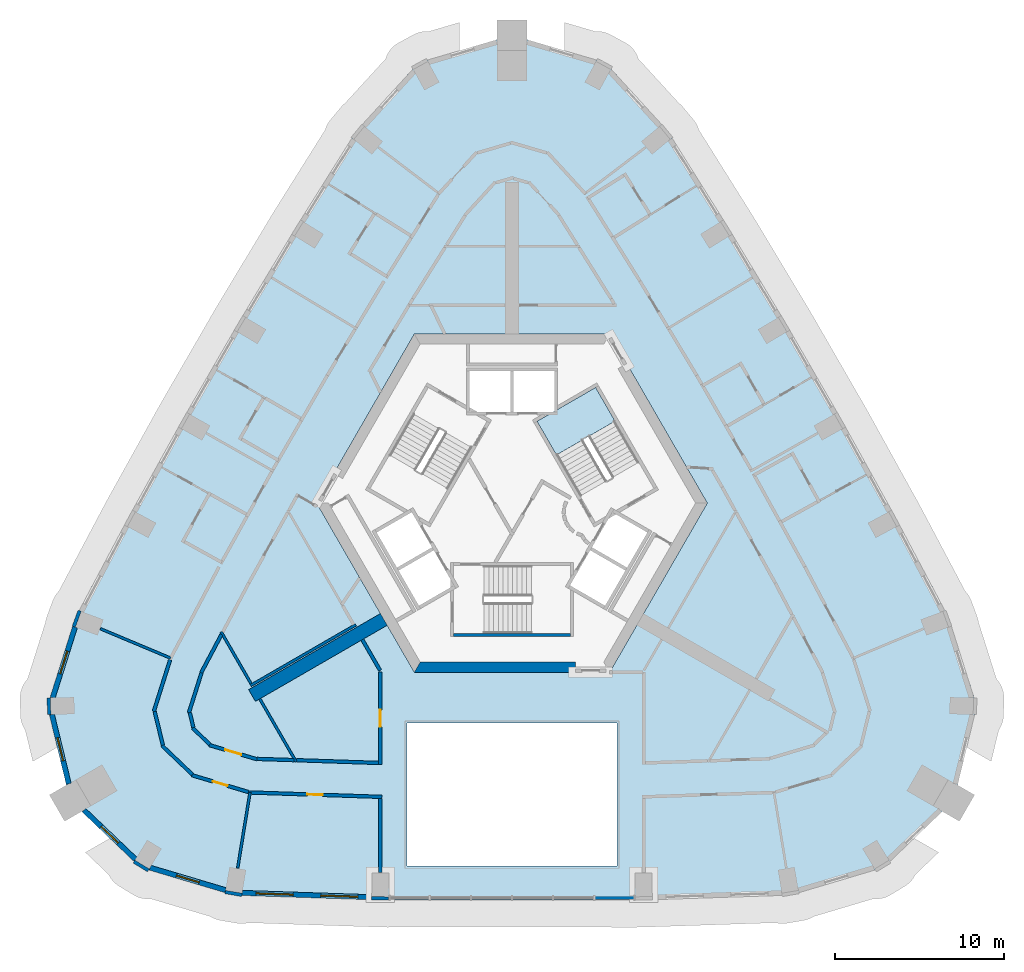
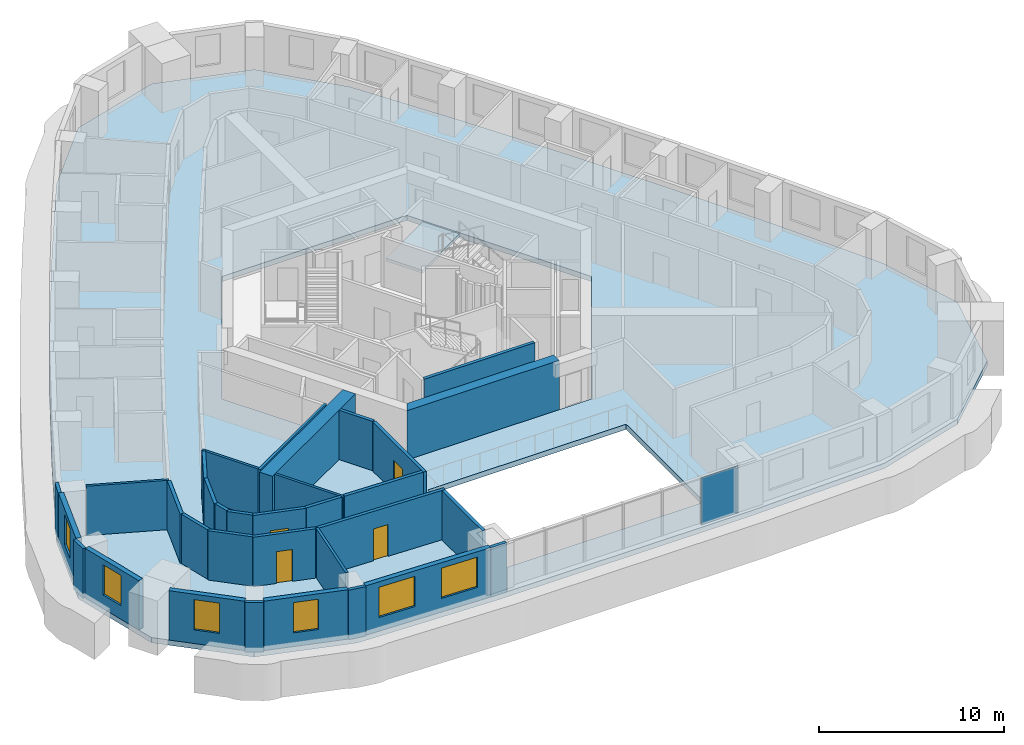
# One storey, part 3 of 13: 33 walls, 6 windows, 4 doors, 2 slabs, 1 plate, 10 openings, 2 elements without a shape of their own.
"""IFC4 building model written with IfcOpenShell, lengths in metres."""

from ifc_helpers import new_model, si_unit, direction, frame, frame_2d, origin, origin_2d, place, context, subcontext, project, spatial, polyline, rectangle, outline, extrude, material, layer, layer_set, type_object, element, fill, aggregate, save


model = new_model("IFC4")

# Units and contexts
model_context = context("Model", 3, precision=1e-05, world=origin(), true_north=direction((0.0, 1.0)))
body_context = subcontext(model_context, "Body", "Model", "MODEL_VIEW")
ifc_project = project(units=[si_unit("LENGTHUNIT", "METRE"), si_unit("AREAUNIT", "SQUARE_METRE"), si_unit("VOLUMEUNIT", "CUBIC_METRE"), si_unit("PLANEANGLEUNIT", "RADIAN"), si_unit("MASSUNIT", "GRAM", prefix="KILO")], contexts=[model_context])

# Site, building, storey
site_placement = place(None, origin())
site = spatial("IfcSite", under=ifc_project, at=site_placement, CompositionType="ELEMENT")
building_placement = place(site_placement, origin())
building = spatial("IfcBuilding", under=site, at=building_placement, Name="Entoto Arch Interchange Tower", CompositionType="ELEMENT")
storey_placement = place(building_placement, frame((0.0, 0.0, 266.60009765625)))
storey = spatial("IfcBuildingStorey", under=building, at=storey_placement, Name="L61", CompositionType="ELEMENT", Elevation=266.60009765625)

# Stair, slab
ifc_material_1 = material(Name="Concrete C40/50", Category="concrete")
stair_type = type_object("IfcStairType", Name="EXIT STAIR RC 1800", PredefinedType="HALF_TURN_STAIR", material=ifc_material_1)
stair_placement = place(storey_placement, origin())
stair = element("IfcStair", 1, at=stair_placement, inside=storey, type_object=stair_type, Name="L61 Exit stair NE", PredefinedType="HALF_TURN_STAIR")
ifc_layer_1 = layer(ifc_material_1, 0.199951171875)
ifc_layer_set_1 = layer_set([ifc_layer_1], Name="Concrete C40/50")
slab_type_1 = type_object("IfcSlabType", Name="EXIT STAIR LANDING RC 200", PredefinedType="LANDING", material=ifc_layer_set_1)
slab_1_placement = place(storey_placement, frame((0.0, 0.0, 1.599853515625)))
slab_1 = element("IfcSlab", 2, at=slab_1_placement, type_object=slab_type_1, Name="ST-NE landing 1", PredefinedType="LANDING", context=body_context, shape_type="SweptSolid", body=[
    extrude(outline(polyline([(6.093505859375, 7.345947265625), (4.943359375, 9.337890625), (1.479248046875, 7.337890625), (2.62939453125, 5.345947265625), (6.093505859375, 7.345947265625)])), origin(), (0.0, 0.0, 1.0), 0.199951171875),
])
aggregate(stair, [slab_1])

# Curtain wall, plate
ifc_material_2 = material(Name="Aluminium, anodised", Category="aluminium")
curtain_wall_type = type_object("IfcCurtainWallType", Name="CURTAIN WALL ATRIUM", PredefinedType="NOTDEFINED", material=ifc_material_2)
curtain_wall_placement = place(storey_placement, origin())
curtain_wall = element("IfcCurtainWall", 3, at=curtain_wall_placement, inside=storey, type_object=curtain_wall_type, Name="Atrium glazing S-02 L61", PredefinedType="NOTDEFINED")
ifc_material_3 = material(Name="Clear glass, low-e double glazed", Category="glass")
ifc_layer_2 = layer(ifc_material_3, 0.031982421875)
ifc_layer_set_2 = layer_set([ifc_layer_2], Name="Clear glass, low-e double glazed")
plate_type = type_object("IfcPlateType", Name="GLAZING PANEL ATRIUM 32", PredefinedType="CURTAIN_PANEL", material=ifc_layer_set_2)
plate_placement = place(storey_placement, frame((6.0576171875, -20.843994140625, 0.079833984375), z_axis=(0.0, 0.0, 1.0), x_axis=(1.0, 0.0, 0.0)))
plate = element("IfcPlate", 4, at=plate_placement, type_object=plate_type, Name="CWA panel 6.1", PredefinedType="CURTAIN_PANEL", context=body_context, shape_type="SweptSolid", body=[
    extrude(rectangle(XDim=2.282958984375, YDim=0.031982421875, at=origin_2d()), origin(), (0.0, 0.0, 1.0), 3.10009765625),
])
aggregate(curtain_wall, [plate])

# Slab
ifc_layer_3 = layer(ifc_material_1, 0.340087890625)
ifc_layer_set_3 = layer_set([ifc_layer_3], Name="Concrete C40/50")
slab_type_2 = type_object("IfcSlabType", Name="Post-tensioned flat plate 340 C40/50", PredefinedType="FLOOR", material=ifc_layer_set_3)
slab_2_placement = place(storey_placement, frame((0.0, 0.0, -0.340087890625)))
element("IfcSlab", 5, at=slab_2_placement, inside=storey, type_object=slab_type_2, Name="Floor slab L61", PredefinedType="FLOOR", context=body_context, shape_type="SweptSolid", body=[
    extrude(outline(polyline([(-16.47998046875, -20.679931640625), (-7.800048828125, -20.968994140625), (7.800048828125, -20.968994140625), (16.47998046875, -20.679931640625), (21.97705078125, -19.0419921875), (26.125, -15.083984375), (27.47900390625, -9.510986328125), (25.83203125, -4.299072265625), (22.681884765625, 1.64404296875), (19.47998046875, 7.428955078125), (16.174072265625, 13.155029296875), (12.764892578125, 18.822021484375), (9.19189453125, 24.52099609375), (5.501953125, 28.553955078125), (0.0, 30.1669921875), (-5.501953125, 28.553955078125), (-9.19189453125, 24.52099609375), (-12.764892578125, 18.822021484375), (-16.174072265625, 13.155029296875), (-19.47998046875, 7.428955078125), (-22.681884765625, 1.64404296875), (-25.83203125, -4.299072265625), (-27.47900390625, -9.510986328125), (-26.125, -15.083984375), (-21.97705078125, -19.0419921875), (-16.47998046875, -20.679931640625)]), holes=[polyline([(6.199951171875, -18.968994140625), (6.199951171875, -10.5), (-6.199951171875, -10.5), (-6.199951171875, -18.968994140625), (6.199951171875, -18.968994140625)]), polyline([(11.547119140625, 2.5), (5.77392578125, 12.5), (-5.77392578125, 12.5), (-11.547119140625, 2.5), (-5.77392578125, -7.5), (5.77392578125, -7.5), (11.547119140625, 2.5)])]), origin(), (0.0, 0.0, 1.0), 0.340087890625),
])

# Walls
ifc_layer_4 = layer(ifc_material_1, 0.800048828125)
ifc_layer_set_4 = layer_set([ifc_layer_4], Name="Concrete C40/50")
wall_type_1 = type_object("IfcWallType", Name="Buttress wall 800 C40/50", PredefinedType="SHEAR", material=ifc_layer_set_4)
wall_1_placement = place(storey_placement, frame((-7.577880859375, -4.375, -0.340087890625), z_axis=(0.0, 0.0, 1.0), x_axis=(-0.866024315419, -0.5000018851, 0.0)))
element("IfcWall", 6, at=wall_1_placement, inside=storey, type_object=wall_type_1, Name="Buttress wall SW L61", PredefinedType="SHEAR", context=body_context, shape_type="SweptSolid", body=[
    extrude(rectangle(XDim=9.0, YDim=0.800048828125, at=frame_2d((4.5, 0.0))), origin(), (0.0, 0.0, 1.0), 3.60009765625),
])
ifc_layer_5 = layer(ifc_material_1, 0.60009765625)
ifc_layer_set_5 = layer_set([ifc_layer_5], Name="Concrete C40/50")
wall_type_2 = type_object("IfcWallType", Name="Core wall 600 C40/50", PredefinedType="SHEAR", material=ifc_layer_set_5)
wall_2_placement = place(storey_placement, frame((0.0, 0.0, -0.340087890625)))
element("IfcWall", 7, at=wall_2_placement, inside=storey, type_object=wall_type_2, Name="Core wall S L61", PredefinedType="SHEAR", context=body_context, shape_type="SweptSolid", body=[
    extrude(outline(polyline([(3.75, -7.5), (3.75, -6.89990234375), (-5.427001953125, -6.89990234375), (-5.77392578125, -7.5), (3.75, -7.5)])), origin(), (0.0, 0.0, 1.0), 3.60009765625),
])
ifc_material_4 = material(Name="Gypsum board partition on steel studs", Category="steel")
ifc_layer_6 = layer(ifc_material_4, 0.14990234375)
ifc_layer_set_6 = layer_set([ifc_layer_6], Name="Gypsum board partition on steel studs")
wall_type_3 = type_object("IfcWallType", Name="PARTITION 150", PredefinedType="PARTITIONING", material=ifc_layer_set_6)
wall_3_placement = place(storey_placement, frame((-9.239990234375, -4.695068359375, 0.0), z_axis=(0.0, 0.0, 1.0), x_axis=(-0.866015037582, -0.500017954359, 0.0)))
element("IfcWall", 8, at=wall_3_placement, inside=storey, type_object=wall_type_3, Name="wall:L61:p108", PredefinedType="PARTITIONING", context=body_context, shape_type="SweptSolid", body=[
    extrude(rectangle(XDim=7.175537109375, YDim=0.14990234375, at=frame_2d((3.587890625, 0.0))), origin(), (0.0, 0.0, 1.0), 3.260009765625),
])
wall_4_placement = place(storey_placement, frame((-15.427001953125, -8.179931640625, 0.0), z_axis=(0.0, 0.0, 1.0), x_axis=(-0.500045204515, 0.865999303373, 0.0)))
element("IfcWall", 9, at=wall_4_placement, inside=storey, type_object=wall_type_3, Name="wall:L61:p109", PredefinedType="PARTITIONING", context=body_context, shape_type="SweptSolid", body=[
    extrude(rectangle(XDim=3.535888671875, YDim=0.14990234375, at=frame_2d((1.76806640625, 0.0))), origin(), (0.0, 0.0, 1.0), 3.260009765625),
])
wall_5_placement = place(storey_placement, frame((-12.76904296875, -12.783935546875, 0.0), z_axis=(0.0, 0.0, 1.0), x_axis=(-0.499998569178, 0.866026229868, 0.0)))
element("IfcWall", 10, at=wall_5_placement, inside=storey, type_object=wall_type_3, Name="wall:L61:p110", PredefinedType="PARTITIONING", context=body_context, shape_type="SweptSolid", body=[
    extrude(rectangle(XDim=4.2861328125, YDim=0.14990234375, at=frame_2d((2.14306640625, 0.0))), origin(), (0.0, 0.0, 1.0), 3.260009765625),
])
wall_6_placement = place(storey_placement, frame((-20.18310546875, -6.666015625, 0.0), z_axis=(0.0, 0.0, 1.0), x_axis=(-0.922347108299, 0.386362280525, 0.0)))
element("IfcWall", 11, at=wall_6_placement, inside=storey, type_object=wall_type_3, Name="wall:L61:p143", PredefinedType="PARTITIONING", context=body_context, shape_type="SweptSolid", body=[
    extrude(rectangle(XDim=4.50341796875, YDim=0.14990234375, at=frame_2d((2.251708984375, 0.0))), origin(), (0.0, 0.0, 1.0), 3.260009765625),
])
wall_7_placement = place(storey_placement, frame((-15.490966796875, -14.610107421875, 0.0), z_axis=(0.0, 0.0, 1.0), x_axis=(-0.160928343418, -0.986966092774, 0.0)))
element("IfcWall", 12, at=wall_7_placement, inside=storey, type_object=wall_type_3, Name="wall:L61:p144", PredefinedType="PARTITIONING", context=body_context, shape_type="SweptSolid", body=[
    extrude(rectangle(XDim=4.530029296875, YDim=0.14990234375, at=frame_2d((2.26513671875, 0.0))), origin(), (0.0, 0.0, 1.0), 3.260009765625),
])
ifc_layer_7 = layer(ifc_material_4, 0.199951171875)
ifc_layer_set_7 = layer_set([ifc_layer_7], Name="Gypsum board partition on steel studs")
wall_type_4 = type_object("IfcWallType", Name="PARTITION 200", PredefinedType="PARTITIONING", material=ifc_layer_set_7)
wall_8_placement = place(storey_placement, frame((-12.743896484375, -12.699951171875, 0.0), z_axis=(0.0, 0.0, 1.0), x_axis=(0.999447196828, -0.033246063702, 0.0)))
element("IfcWall", 13, at=wall_8_placement, inside=storey, type_object=wall_type_4, Name="wall:L61:p031", PredefinedType="PARTITIONING", context=body_context, shape_type="SweptSolid", body=[
    extrude(rectangle(XDim=4.8466796875, YDim=0.199951171875, at=frame_2d((2.42333984375, 0.0))), origin(), (0.0, 0.0, 1.0), 3.260009765625),
])
wall_9_placement = place(storey_placement, frame((-17.179931640625, -5.27099609375, 0.0), z_axis=(0.0, 0.0, 1.0), x_axis=(-0.468212372113, -0.883615965564, 0.0)))
element("IfcWall", 14, at=wall_9_placement, inside=storey, type_object=wall_type_4, Name="wall:L61:p032", PredefinedType="PARTITIONING", context=body_context, shape_type="SweptSolid", body=[
    extrude(rectangle(XDim=2.556640625, YDim=0.199951171875, at=frame_2d((1.2783203125, 0.0))), origin(), (0.0, 0.0, 1.0), 3.260009765625),
])
wall_10_placement = place(storey_placement, frame((-18.360107421875, -7.537109375, 0.0), z_axis=(0.0, 0.0, 1.0), x_axis=(-0.301325410186, -0.953521366922, 0.0)))
element("IfcWall", 15, at=wall_10_placement, inside=storey, type_object=wall_type_4, Name="wall:L61:p033", PredefinedType="PARTITIONING", context=body_context, shape_type="SweptSolid", body=[
    extrude(rectangle(XDim=2.46875, YDim=0.199951171875, at=frame_2d((1.234375, 0.0))), origin(), (0.0, 0.0, 1.0), 3.260009765625),
])
wall_11_placement = place(storey_placement, frame((-19.051025390625, -9.89306640625, 0.0), z_axis=(0.0, 0.0, 1.0), x_axis=(0.237162553963, -0.971469980492, 0.0)))
element("IfcWall", 16, at=wall_11_placement, inside=storey, type_object=wall_type_4, Name="wall:L61:p034", PredefinedType="PARTITIONING", context=body_context, shape_type="SweptSolid", body=[
    extrude(rectangle(XDim=0.898681640625, YDim=0.199951171875, at=frame_2d((0.44921875, 0.0))), origin(), (0.0, 0.0, 1.0), 3.260009765625),
])
wall_12_placement = place(storey_placement, frame((-18.886962890625, -10.7939453125, 0.0), z_axis=(0.0, 0.0, 1.0), x_axis=(0.723206051435, -0.690632324155, 0.0)))
element("IfcWall", 17, at=wall_12_placement, inside=storey, type_object=wall_type_4, Name="wall:L61:p035", PredefinedType="PARTITIONING", context=body_context, shape_type="SweptSolid", body=[
    extrude(rectangle(XDim=1.4091796875, YDim=0.199951171875, at=frame_2d((0.70458984375, 0.0))), origin(), (0.0, 0.0, 1.0), 3.260009765625),
])

# Wall, opening, door
wall_13_placement = place(storey_placement, frame((-17.89111328125, -11.806884765625, 0.0), z_axis=(0.0, 0.0, 1.0), x_axis=(0.958288558025, -0.28580244848, 0.0)))
wall_13 = element("IfcWall", 18, at=wall_13_placement, inside=storey, type_object=wall_type_4, Name="wall:L61:p036", PredefinedType="PARTITIONING", context=body_context, shape_type="SweptSolid", body=[
    extrude(rectangle(XDim=2.94287109375, YDim=0.199951171875, at=frame_2d((1.471435546875, 0.0))), origin(), (0.0, 0.0, 1.0), 3.260009765625),
])
opening_1_placement = place(wall_13_placement, frame((0.970947265625, 0.0, 0.0)))
opening_1 = element("IfcOpeningElement", 19, at=opening_1_placement, cuts=wall_13, Name="Opening L61-D31", PredefinedType="OPENING", context=body_context, shape_type="SweptSolid", body=[
    extrude(rectangle(XDim=1.0, YDim=2.10009765625, at=frame_2d((0.5, 1.050048828125))), frame((0.0, 0.10986328125, 0.0), z_axis=(0.0, -1.0, 0.0), x_axis=(1.0, 0.0, 0.0)), (0.0, 0.0, 1.0), 0.219970703125),
])
ifc_material_5 = material(Name="Timber door leaf in Steel S235 frame", Category="steel")
door_type_1 = type_object("IfcDoorType", Name="DOOR DS-10 1000x2100", OperationType="SINGLE_SWING_LEFT", PredefinedType="DOOR", material=ifc_material_5)
door_1_placement = place(opening_1_placement, origin())
door_1 = element("IfcDoor", 20, at=door_1_placement, inside=storey, type_object=door_type_1, Name="door:L61:31", OperationType="SINGLE_SWING_LEFT", OverallHeight=2.10009765625, OverallWidth=1.0, PredefinedType="DOOR", context=body_context, shape_type="SweptSolid", body=[
    extrude(rectangle(XDim=1.0, YDim=2.10009765625, at=frame_2d((0.5, 1.050048828125))), frame((0.0, 0.02490234375, 0.0), z_axis=(0.0, -1.0, 0.0), x_axis=(1.0, 0.0, 0.0)), (0.0, 0.0, 1.0), 0.050048828125),
])
fill(opening_1, door_1)

# Wall
wall_14_placement = place(storey_placement, frame((-15.06689453125, -12.623046875, 0.0), z_axis=(0.0, 0.0, 1.0), x_axis=(0.99945112134, -0.033127874247, 0.0)))
element("IfcWall", 21, at=wall_14_placement, inside=storey, type_object=wall_type_4, Name="wall:L61:p037", PredefinedType="PARTITIONING", context=body_context, shape_type="SweptSolid", body=[
    extrude(rectangle(XDim=2.174072265625, YDim=0.199951171875, at=frame_2d((1.0869140625, 0.0))), origin(), (0.0, 0.0, 1.0), 3.260009765625),
])

# Wall, opening, door
wall_15_placement = place(storey_placement, frame((-15.5869140625, -14.5810546875, 0.0), z_axis=(0.0, 0.0, 1.0), x_axis=(-0.958378336681, 0.285501250052, 0.0)))
wall_15 = element("IfcWall", 22, at=wall_15_placement, inside=storey, type_object=wall_type_4, Name="wall:L61:p067", PredefinedType="PARTITIONING", context=body_context, shape_type="SweptSolid", body=[
    extrude(rectangle(XDim=3.482177734375, YDim=0.199951171875, at=frame_2d((1.7412109375, 0.0))), origin(), (0.0, 0.0, 1.0), 3.260009765625),
])
opening_2_placement = place(wall_15_placement, frame((1.291015625, 0.0, 0.0)))
opening_2 = element("IfcOpeningElement", 23, at=opening_2_placement, cuts=wall_15, Name="Opening L61-D22", PredefinedType="OPENING", context=body_context, shape_type="SweptSolid", body=[
    extrude(rectangle(XDim=0.89990234375, YDim=2.10009765625, at=frame_2d((0.449951171875, 1.050048828125))), frame((0.0, 0.10986328125, 0.0), z_axis=(0.0, -1.0, 0.0), x_axis=(1.0, 0.0, 0.0)), (0.0, 0.0, 1.0), 0.219970703125),
])
door_type_2 = type_object("IfcDoorType", Name="DOOR DS-09 900x2100", OperationType="SINGLE_SWING_LEFT", PredefinedType="DOOR", material=ifc_material_5)
door_2_placement = place(opening_2_placement, origin())
door_2 = element("IfcDoor", 24, at=door_2_placement, inside=storey, type_object=door_type_2, Name="door:L61:22", OperationType="SINGLE_SWING_LEFT", OverallHeight=2.10009765625, OverallWidth=0.89990234375, PredefinedType="DOOR", context=body_context, shape_type="SweptSolid", body=[
    extrude(rectangle(XDim=0.89990234375, YDim=2.10009765625, at=frame_2d((0.449951171875, 1.050048828125))), frame((0.0, 0.02490234375, 0.0), z_axis=(0.0, -1.0, 0.0), x_axis=(1.0, 0.0, 0.0)), (0.0, 0.0, 1.0), 0.050048828125),
])
fill(opening_2, door_2)

# Walls
wall_16_placement = place(storey_placement, frame((-18.89990234375, -13.5458984375, 0.0), z_axis=(0.0, 0.0, 1.0), x_axis=(-0.723668833869, 0.690147389248, 0.0)))
element("IfcWall", 25, at=wall_16_placement, inside=storey, type_object=wall_type_4, Name="wall:L61:p068", PredefinedType="PARTITIONING", context=body_context, shape_type="SweptSolid", body=[
    extrude(rectangle(XDim=2.476318359375, YDim=0.199951171875, at=frame_2d((1.23828125, 0.0))), origin(), (0.0, 0.0, 1.0), 3.260009765625),
])
wall_17_placement = place(storey_placement, frame((-20.64306640625, -11.80810546875, 0.0), z_axis=(0.0, 0.0, 1.0), x_axis=(-0.236372924437, 0.971662410816, 0.0)))
element("IfcWall", 26, at=wall_17_placement, inside=storey, type_object=wall_type_4, Name="wall:L61:p069", PredefinedType="PARTITIONING", context=body_context, shape_type="SweptSolid", body=[
    extrude(rectangle(XDim=2.04296875, YDim=0.199951171875, at=frame_2d((1.021484375, 0.0))), origin(), (0.0, 0.0, 1.0), 3.260009765625),
])
wall_18_placement = place(storey_placement, frame((-21.179931640625, -9.821044921875, 0.0), z_axis=(0.0, 0.0, 1.0), x_axis=(0.301331608119, 0.953519408271, 0.0)))
element("IfcWall", 27, at=wall_18_placement, inside=storey, type_object=wall_type_4, Name="wall:L61:p070", PredefinedType="PARTITIONING", context=body_context, shape_type="SweptSolid", body=[
    extrude(rectangle(XDim=3.209228515625, YDim=0.199951171875, at=frame_2d((1.6044921875, 0.0))), origin(), (0.0, 0.0, 1.0), 3.260009765625),
])

# Wall, opening, door
wall_19_placement = place(storey_placement, frame((-7.699951171875, -14.868896484375, 0.0), z_axis=(0.0, 0.0, 1.0), x_axis=(-0.999445318732, 0.03330247535, 0.0)))
wall_19 = element("IfcWall", 28, at=wall_19_placement, inside=storey, type_object=wall_type_4, Name="wall:L61:p071", PredefinedType="PARTITIONING", context=body_context, shape_type="SweptSolid", body=[
    extrude(rectangle(XDim=7.8955078125, YDim=0.199951171875, at=frame_2d((3.94775390625, 0.0))), origin(), (0.0, 0.0, 1.0), 3.260009765625),
])
opening_3_placement = place(wall_19_placement, frame((3.498046875, 0.0, 0.0)))
opening_3 = element("IfcOpeningElement", 29, at=opening_3_placement, cuts=wall_19, Name="Opening L61-D23", PredefinedType="OPENING", context=body_context, shape_type="SweptSolid", body=[
    extrude(rectangle(XDim=0.89990234375, YDim=2.10009765625, at=frame_2d((0.449951171875, 1.050048828125))), frame((0.0, 0.10986328125, 0.0), z_axis=(0.0, -1.0, 0.0), x_axis=(1.0, 0.0, 0.0)), (0.0, 0.0, 1.0), 0.219970703125),
])
door_3_placement = place(opening_3_placement, origin())
door_3 = element("IfcDoor", 30, at=door_3_placement, inside=storey, type_object=door_type_2, Name="door:L61:23", OperationType="SINGLE_SWING_LEFT", OverallHeight=2.10009765625, OverallWidth=0.89990234375, PredefinedType="DOOR", context=body_context, shape_type="SweptSolid", body=[
    extrude(rectangle(XDim=0.89990234375, YDim=2.10009765625, at=frame_2d((0.449951171875, 1.050048828125))), frame((0.0, 0.02490234375, 0.0), z_axis=(0.0, -1.0, 0.0), x_axis=(1.0, 0.0, 0.0)), (0.0, 0.0, 1.0), 0.050048828125),
])
fill(opening_3, door_3)

wall_20_placement = place(storey_placement, frame((-7.800048828125, -12.964111328125, 0.0), z_axis=(0.0, 0.0, 1.0), x_axis=(0.0, 1.0, 0.0)))
wall_20 = element("IfcWall", 31, at=wall_20_placement, inside=storey, type_object=wall_type_4, Name="wall:L61:p100", PredefinedType="PARTITIONING", context=body_context, shape_type="SweptSolid", body=[
    extrude(rectangle(XDim=5.465087890625, YDim=0.199951171875, at=frame_2d((2.732421875, 0.0))), origin(), (0.0, 0.0, 1.0), 3.260009765625),
])
opening_4_placement = place(wall_20_placement, frame((2.23291015625, 0.0, 0.0)))
opening_4 = element("IfcOpeningElement", 32, at=opening_4_placement, cuts=wall_20, Name="Opening L61-D30", PredefinedType="OPENING", context=body_context, shape_type="SweptSolid", body=[
    extrude(rectangle(XDim=1.0, YDim=2.10009765625, at=frame_2d((0.5, 1.050048828125))), frame((0.0, 0.10986328125, 0.0), z_axis=(0.0, -1.0, 0.0), x_axis=(1.0, 0.0, 0.0)), (0.0, 0.0, 1.0), 0.219970703125),
])
door_4_placement = place(opening_4_placement, origin())
door_4 = element("IfcDoor", 33, at=door_4_placement, inside=storey, type_object=door_type_1, Name="door:L61:30", OperationType="SINGLE_SWING_LEFT", OverallHeight=2.10009765625, OverallWidth=1.0, PredefinedType="DOOR", context=body_context, shape_type="SweptSolid", body=[
    extrude(rectangle(XDim=1.0, YDim=2.10009765625, at=frame_2d((0.5, 1.050048828125))), frame((0.0, 0.02490234375, 0.0), z_axis=(0.0, -1.0, 0.0), x_axis=(1.0, 0.0, 0.0)), (0.0, 0.0, 1.0), 0.050048828125),
])
fill(opening_4, door_4)

# Walls
wall_21_placement = place(storey_placement, frame((-7.800048828125, -7.389892578125, 0.0), z_axis=(0.0, 0.0, 1.0), x_axis=(-0.499977374825, 0.866038466041, 0.0)))
element("IfcWall", 34, at=wall_21_placement, inside=storey, type_object=wall_type_4, Name="wall:L61:p101", PredefinedType="PARTITIONING", context=body_context, shape_type="SweptSolid", body=[
    extrude(rectangle(XDim=2.10009765625, YDim=0.199951171875, at=frame_2d((1.050048828125, 0.0))), origin(), (0.0, 0.0, 1.0), 3.260009765625),
])
wall_22_placement = place(storey_placement, frame((-7.800048828125, -19.34912109375, 0.0), z_axis=(0.0, 0.0, 1.0), x_axis=(0.0, 1.0, 0.0)))
element("IfcWall", 35, at=wall_22_placement, inside=storey, type_object=wall_type_4, Name="wall:L61:p103", PredefinedType="PARTITIONING", context=body_context, shape_type="SweptSolid", body=[
    extrude(rectangle(XDim=4.383056640625, YDim=0.199951171875, at=frame_2d((2.19140625, 0.0))), origin(), (0.0, 0.0, 1.0), 3.260009765625),
])
ifc_layer_8 = layer(ifc_material_1, 0.199951171875)
ifc_layer_set_8 = layer_set([ifc_layer_8], Name="Concrete C40/50")
wall_type_5 = type_object("IfcWallType", Name="STAIR ENCLOSURE WALL 200", PredefinedType="STANDARD", material=ifc_layer_set_8)
wall_23_placement = place(storey_placement, frame((-3.449951171875, -5.300048828125, 0.0), z_axis=(0.0, 0.0, 1.0), x_axis=(1.0, 0.0, 0.0)))
element("IfcWall", 36, at=wall_23_placement, inside=storey, type_object=wall_type_5, Name="Stair wall ST-S back", PredefinedType="STANDARD", context=body_context, shape_type="SweptSolid", body=[
    extrude(rectangle(XDim=6.89990234375, YDim=0.199951171875, at=frame_2d((3.449951171875, 0.0))), origin(), (0.0, 0.0, 1.0), 3.260009765625),
])

# Wall, openings, windows
ifc_material_6 = material(Name="Welded tuff (ignimbrite) cladding, warm buff", Category="masonry")
ifc_layer_9 = layer(ifc_material_6, 0.300048828125)
ifc_layer_set_9 = layer_set([ifc_layer_9], Name="Welded tuff (ignimbrite) cladding, warm buff")
wall_type_6 = type_object("IfcWallType", Name="STONE INFILL WALL 300", PredefinedType="STANDARD", material=ifc_layer_set_9)
wall_24_placement = place(storey_placement, frame((-15.950927734375, -20.548095703125, 0.0), z_axis=(0.0, 0.0, 1.0), x_axis=(0.999450376985, -0.033150323459, 0.0)))
wall_24 = element("IfcWall", 37, at=wall_24_placement, inside=storey, type_object=wall_type_6, Name="Facade wall S-01 L61", PredefinedType="STANDARD", context=body_context, shape_type="SweptSolid", body=[
    extrude(rectangle(XDim=7.6591796875, YDim=0.300048828125, at=frame_2d((3.82958984375, 0.0))), origin(), (0.0, 0.0, 1.0), 3.260009765625),
])
opening_5_placement = place(wall_24_placement, frame((0.81494140625, 0.0, 0.89990234375)))
opening_5 = element("IfcOpeningElement", 38, at=opening_5_placement, cuts=wall_24, Name="Opening WH-A", PredefinedType="OPENING", context=body_context, shape_type="SweptSolid", body=[
    extrude(rectangle(XDim=2.199951171875, YDim=2.0, at=frame_2d((1.10009765625, 1.0))), frame((0.0, 0.16015625, 0.0), z_axis=(0.0, -1.0, 0.0), x_axis=(1.0, 0.0, 0.0)), (0.0, 0.0, 1.0), 0.320068359375),
])
opening_6_placement = place(wall_24_placement, frame((4.64404296875, 0.0, 0.89990234375)))
opening_6 = element("IfcOpeningElement", 39, at=opening_6_placement, cuts=wall_24, Name="Opening WH-A", PredefinedType="OPENING", context=body_context, shape_type="SweptSolid", body=[
    extrude(rectangle(XDim=2.199951171875, YDim=2.0, at=frame_2d((1.10009765625, 1.0))), frame((0.0, 0.16015625, 0.0), z_axis=(0.0, -1.0, 0.0), x_axis=(1.0, 0.0, 0.0)), (0.0, 0.0, 1.0), 0.320068359375),
])
window_type_1 = type_object("IfcWindowType", Name="WINDOW WH-A 2200x2000", PartitioningType="DOUBLE_PANEL_VERTICAL", PredefinedType="WINDOW", material=ifc_material_3)
window_1_placement = place(opening_5_placement, origin())
window_1 = element("IfcWindow", 40, at=window_1_placement, inside=storey, type_object=window_type_1, Name="Window WH-A S-01 L61", OverallHeight=2.0, OverallWidth=2.199951171875, PartitioningType="SINGLE_PANEL", PredefinedType="WINDOW", context=body_context, shape_type="SweptSolid", body=[
    extrude(rectangle(XDim=2.199951171875, YDim=2.0, at=frame_2d((1.10009765625, 1.0))), frame((0.0, 0.030029296875, 0.0), z_axis=(0.0, -1.0, 0.0), x_axis=(1.0, 0.0, 0.0)), (0.0, 0.0, 1.0), 0.06005859375),
])
fill(opening_5, window_1)
window_2_placement = place(opening_6_placement, origin())
window_2 = element("IfcWindow", 41, at=window_2_placement, inside=storey, type_object=window_type_1, Name="Window WH-A S-01 L61", OverallHeight=2.0, OverallWidth=2.199951171875, PartitioningType="SINGLE_PANEL", PredefinedType="WINDOW", context=body_context, shape_type="SweptSolid", body=[
    extrude(rectangle(XDim=2.199951171875, YDim=2.0, at=frame_2d((1.10009765625, 1.0))), frame((0.0, 0.030029296875, 0.0), z_axis=(0.0, -1.0, 0.0), x_axis=(1.0, 0.0, 0.0)), (0.0, 0.0, 1.0), 0.06005859375),
])
fill(opening_6, window_2)

# Wall, opening, window
wall_25_placement = place(storey_placement, frame((-25.842041015625, -4.826904296875, 0.0), z_axis=(0.0, 0.0, 1.0), x_axis=(-0.30108868778, -0.953596142028, 0.0)))
wall_25 = element("IfcWall", 42, at=wall_25_placement, inside=storey, type_object=wall_type_6, Name="Facade wall SW-01 L61", PredefinedType="STANDARD", context=body_context, shape_type="SweptSolid", body=[
    extrude(rectangle(XDim=4.38037109375, YDim=0.300048828125, at=frame_2d((2.190185546875, 0.0))), origin(), (0.0, 0.0, 1.0), 3.260009765625),
])
opening_7_placement = place(wall_25_placement, frame((1.489990234375, 0.0, 0.89990234375)))
opening_7 = element("IfcOpeningElement", 43, at=opening_7_placement, cuts=wall_25, Name="Opening WH-B", PredefinedType="OPENING", context=body_context, shape_type="SweptSolid", body=[
    extrude(rectangle(XDim=1.39990234375, YDim=2.0, at=frame_2d((0.699951171875, 1.0))), frame((0.0, 0.16015625, 0.0), z_axis=(0.0, -1.0, 0.0), x_axis=(1.0, 0.0, 0.0)), (0.0, 0.0, 1.0), 0.320068359375),
])
window_type_2 = type_object("IfcWindowType", Name="WINDOW WH-B 1400x2000", PartitioningType="DOUBLE_PANEL_VERTICAL", PredefinedType="WINDOW", material=ifc_material_3)
window_3_placement = place(opening_7_placement, origin())
window_3 = element("IfcWindow", 44, at=window_3_placement, inside=storey, type_object=window_type_2, Name="Window WH-B SW-01 L61", OverallHeight=2.0, OverallWidth=1.39990234375, PartitioningType="SINGLE_PANEL", PredefinedType="WINDOW", context=body_context, shape_type="SweptSolid", body=[
    extrude(rectangle(XDim=1.39990234375, YDim=2.0, at=frame_2d((0.699951171875, 1.0))), frame((0.0, 0.030029296875, 0.0), z_axis=(0.0, -1.0, 0.0), x_axis=(1.0, 0.0, 0.0)), (0.0, 0.0, 1.0), 0.06005859375),
])
fill(opening_7, window_3)

wall_26_placement = place(storey_placement, frame((-27.205078125, -10.0029296875, 0.0), z_axis=(0.0, 0.0, 1.0), x_axis=(0.236077883519, -0.97173413695, 0.0)))
wall_26 = element("IfcWall", 45, at=wall_26_placement, inside=storey, type_object=wall_type_6, Name="Facade wall SW-02 L61", PredefinedType="STANDARD", context=body_context, shape_type="SweptSolid", body=[
    extrude(rectangle(XDim=4.211181640625, YDim=0.300048828125, at=frame_2d((2.10546875, 0.0))), origin(), (0.0, 0.0, 1.0), 3.260009765625),
])
opening_8_placement = place(wall_26_placement, frame((1.405029296875, 0.0, 0.89990234375)))
opening_8 = element("IfcOpeningElement", 46, at=opening_8_placement, cuts=wall_26, Name="Opening WH-B", PredefinedType="OPENING", context=body_context, shape_type="SweptSolid", body=[
    extrude(rectangle(XDim=1.39990234375, YDim=2.0, at=frame_2d((0.699951171875, 1.0))), frame((0.0, 0.16015625, 0.0), z_axis=(0.0, -1.0, 0.0), x_axis=(1.0, 0.0, 0.0)), (0.0, 0.0, 1.0), 0.320068359375),
])
window_4_placement = place(opening_8_placement, origin())
window_4 = element("IfcWindow", 47, at=window_4_placement, inside=storey, type_object=window_type_2, Name="Window WH-B SW-02 L61", OverallHeight=2.0, OverallWidth=1.39990234375, PartitioningType="SINGLE_PANEL", PredefinedType="WINDOW", context=body_context, shape_type="SweptSolid", body=[
    extrude(rectangle(XDim=1.39990234375, YDim=2.0, at=frame_2d((0.699951171875, 1.0))), frame((0.0, 0.030029296875, 0.0), z_axis=(0.0, -1.0, 0.0), x_axis=(1.0, 0.0, 0.0)), (0.0, 0.0, 1.0), 0.06005859375),
])
fill(opening_8, window_4)

wall_27_placement = place(storey_placement, frame((-25.31201171875, -15.653076171875, 0.0), z_axis=(0.0, 0.0, 1.0), x_axis=(0.723526681061, -0.690296415892, 0.0)))
wall_27 = element("IfcWall", 48, at=wall_27_placement, inside=storey, type_object=wall_type_6, Name="Facade wall SW-03 L61", PredefinedType="STANDARD", context=body_context, shape_type="SweptSolid", body=[
    extrude(rectangle(XDim=4.209716796875, YDim=0.300048828125, at=frame_2d((2.10498046875, 0.0))), origin(), (0.0, 0.0, 1.0), 3.260009765625),
])
opening_9_placement = place(wall_27_placement, frame((1.405029296875, 0.0, 0.89990234375)))
opening_9 = element("IfcOpeningElement", 49, at=opening_9_placement, cuts=wall_27, Name="Opening WH-B", PredefinedType="OPENING", context=body_context, shape_type="SweptSolid", body=[
    extrude(rectangle(XDim=1.39990234375, YDim=2.0, at=frame_2d((0.699951171875, 1.0))), frame((0.0, 0.16015625, 0.0), z_axis=(0.0, -1.0, 0.0), x_axis=(1.0, 0.0, 0.0)), (0.0, 0.0, 1.0), 0.320068359375),
])
window_5_placement = place(opening_9_placement, origin())
window_5 = element("IfcWindow", 50, at=window_5_placement, inside=storey, type_object=window_type_2, Name="Window WH-B SW-03 L61", OverallHeight=2.0, OverallWidth=1.39990234375, PartitioningType="SINGLE_PANEL", PredefinedType="WINDOW", context=body_context, shape_type="SweptSolid", body=[
    extrude(rectangle(XDim=1.39990234375, YDim=2.0, at=frame_2d((0.699951171875, 1.0))), frame((0.0, 0.030029296875, 0.0), z_axis=(0.0, -1.0, 0.0), x_axis=(1.0, 0.0, 0.0)), (0.0, 0.0, 1.0), 0.06005859375),
])
fill(opening_9, window_5)

wall_28_placement = place(storey_placement, frame((-21.40087890625, -19.056884765625, 0.0), z_axis=(0.0, 0.0, 1.0), x_axis=(0.958361270465, -0.285558532131, 0.0)))
wall_28 = element("IfcWall", 51, at=wall_28_placement, inside=storey, type_object=wall_type_6, Name="Facade wall SW-04 L61", PredefinedType="STANDARD", context=body_context, shape_type="SweptSolid", body=[
    extrude(rectangle(XDim=4.65771484375, YDim=0.300048828125, at=frame_2d((2.328857421875, 0.0))), origin(), (0.0, 0.0, 1.0), 3.260009765625),
])
opening_10_placement = place(wall_28_placement, frame((1.62890625, 0.0, 0.89990234375)))
opening_10 = element("IfcOpeningElement", 52, at=opening_10_placement, cuts=wall_28, Name="Opening WH-B", PredefinedType="OPENING", context=body_context, shape_type="SweptSolid", body=[
    extrude(rectangle(XDim=1.39990234375, YDim=2.0, at=frame_2d((0.699951171875, 1.0))), frame((0.0, 0.16015625, 0.0), z_axis=(0.0, -1.0, 0.0), x_axis=(1.0, 0.0, 0.0)), (0.0, 0.0, 1.0), 0.320068359375),
])
window_6_placement = place(opening_10_placement, origin())
window_6 = element("IfcWindow", 53, at=window_6_placement, inside=storey, type_object=window_type_2, Name="Window WH-B SW-04 L61", OverallHeight=2.0, OverallWidth=1.39990234375, PartitioningType="SINGLE_PANEL", PredefinedType="WINDOW", context=body_context, shape_type="SweptSolid", body=[
    extrude(rectangle(XDim=1.39990234375, YDim=2.0, at=frame_2d((0.699951171875, 1.0))), frame((0.0, 0.030029296875, 0.0), z_axis=(0.0, -1.0, 0.0), x_axis=(1.0, 0.0, 0.0)), (0.0, 0.0, 1.0), 0.06005859375),
])
fill(opening_10, window_6)

# Walls
ifc_layer_10 = layer(ifc_material_6, 0.199951171875)
ifc_layer_set_10 = layer_set([ifc_layer_10], Name="Welded tuff (ignimbrite) cladding, warm buff")
wall_type_7 = type_object("IfcWallType", Name="STONE PIER CLADDING 200", PredefinedType="STANDARD", material=ifc_layer_set_10)
for number, where, z_axis, x_axis, name in (
    (54, (-25.56494140625, -3.864990234375, 0.0), (0.0, 0.0, 1.0), (-0.347107644204, -0.937825294677, 0.0), "Stone pier NW06 L61"),
    (55, (-16.9560546875, -20.498046875, 0.0), (0.0, 0.0, 1.0), (0.985961725342, -0.166971483074, 0.0), "Stone pier S01 L61"),
    (56, (-8.298095703125, -20.860107421875, 0.0), (0.0, 0.0, 1.0), (0.999841221248, -0.017819435828, 0.0), "Stone pier S02 L61"),
):
    element("IfcWall", number, at=place(storey_placement, frame(where, z_axis=z_axis, x_axis=x_axis)), inside=storey, type_object=wall_type_7, Name=name, PredefinedType="STANDARD", context=body_context, shape_type="SweptSolid", body=[
        extrude(rectangle(XDim=1.000244140625, YDim=0.199951171875, at=frame_2d((0.5, 0.0))), origin(), (0.0, 0.0, 1.0), 3.260009765625),
    ])
wall_29_placement = place(storey_placement, frame((-27.39111328125, -9.009033203125, 0.0), z_axis=(0.0, 0.0, 1.0), x_axis=(0.024186470916, -0.999707464524, 0.0)))
element("IfcWall", 57, at=wall_29_placement, inside=storey, type_object=wall_type_7, Name="Stone pier SW1 L61", PredefinedType="STANDARD", context=body_context, shape_type="SweptSolid", body=[
    extrude(rectangle(XDim=0.999267578125, YDim=0.199951171875, at=frame_2d((0.49951171875, 0.0))), origin(), (0.0, 0.0, 1.0), 3.260009765625),
])
wall_30_placement = place(storey_placement, frame((-22.35205078125, -18.696044921875, 0.0), z_axis=(0.0, 0.0, 1.0), x_axis=(0.853679739553, -0.520798331677, 0.0)))
element("IfcWall", 58, at=wall_30_placement, inside=storey, type_object=wall_type_7, Name="Stone pier SW3 L61", PredefinedType="STANDARD", context=body_context, shape_type="SweptSolid", body=[
    extrude(rectangle(XDim=1.00048828125, YDim=0.199951171875, at=frame_2d((0.500244140625, 0.0))), origin(), (0.0, 0.0, 1.0), 3.260009765625),
])

save(model, "model.ifc")
